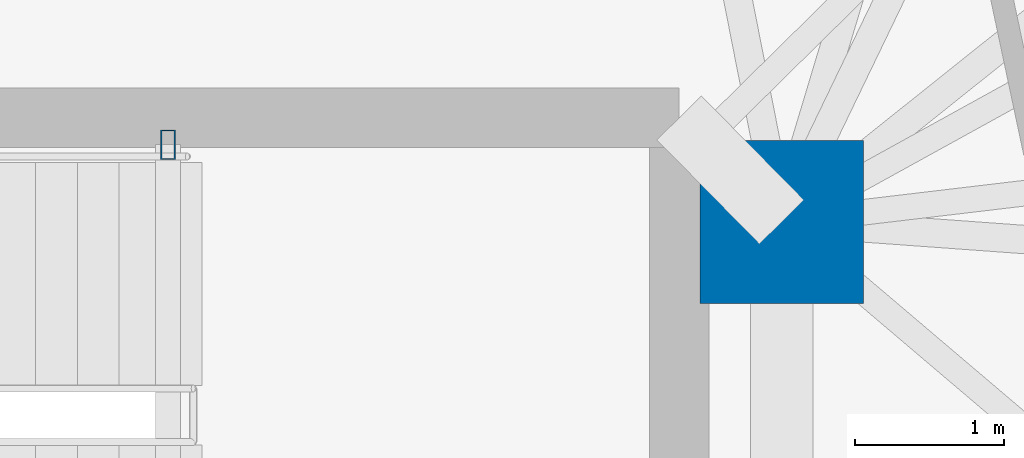
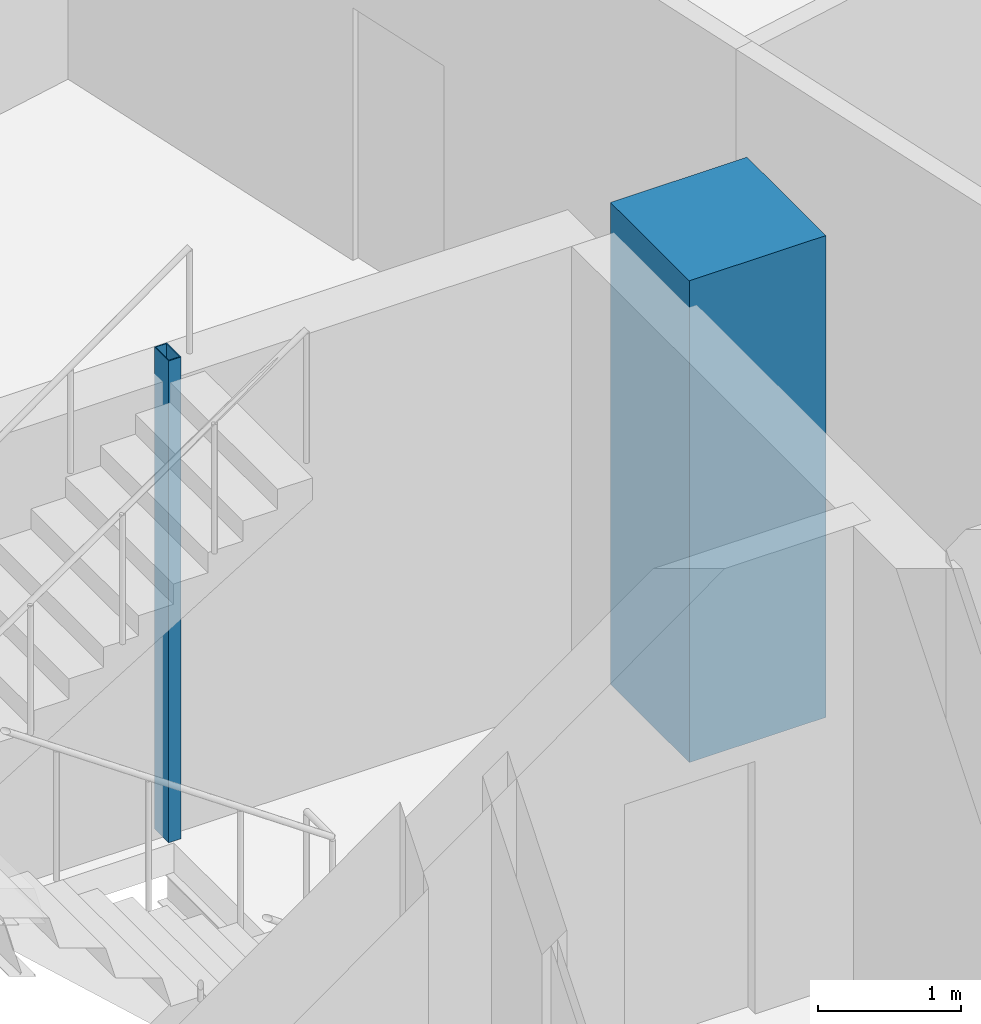
# One storey, part 4 of 15: 2 columns.
"""IFC4 building model written with IfcOpenShell, lengths in metres."""

from ifc_helpers import new_model, si_unit, direction, frame, origin, origin_2d, place, context, subcontext, project, spatial, rectangle, hollow_rectangle, extrude, material, material_profile, profile_set, type_object, element, save


model = new_model("IFC4")

# Units and contexts
model_context = context("Model", 3, precision=1e-05, world=origin(), true_north=direction((0.0, 1.0)))
body_context = subcontext(model_context, "Body", "Model", "MODEL_VIEW")
ifc_project = project(units=[si_unit("LENGTHUNIT", "METRE"), si_unit("AREAUNIT", "SQUARE_METRE"), si_unit("VOLUMEUNIT", "CUBIC_METRE"), si_unit("PLANEANGLEUNIT", "RADIAN"), si_unit("MASSUNIT", "GRAM", prefix="KILO")], contexts=[model_context])

# Site, building, storey
site_placement = place(None, origin())
site = spatial("IfcSite", under=ifc_project, at=site_placement, CompositionType="ELEMENT")
building_placement = place(site_placement, origin())
building = spatial("IfcBuilding", under=site, at=building_placement, Name="Menara Jurai Vektor", CompositionType="ELEMENT")
storey_placement = place(building_placement, frame((0.0, 0.0, 147.300048828125)))
storey = spatial("IfcBuildingStorey", under=building, at=storey_placement, Name="L37", CompositionType="ELEMENT", Elevation=147.300048828125)

# Columns
ifc_material_1 = material(Name="Concrete C50/60", Category="concrete")
ifc_material_profile_1 = material_profile(ifc_material_1, rectangle(XDim=1.10009765625, YDim=1.10009765625, at=origin_2d()), Name="RC 1100x1100")
ifc_profile_set_1 = profile_set([ifc_material_profile_1], Name="Concrete C50/60")
column_type_1 = type_object("IfcColumnType", Name="STR-COL-RC1100", PredefinedType="COLUMN", material=ifc_profile_set_1)
column_1_placement = place(storey_placement, frame((15.25, 4.89990234375, 0.0), z_axis=(0.0, 0.0, 1.0), x_axis=(1.0, 0.0, 0.0)))
element("IfcColumn", 1, at=column_1_placement, inside=storey, type_object=column_type_1, Name="Core Spine Column CE-NE L37", PredefinedType="COLUMN", context=body_context, shape_type="SweptSolid", body=[
    extrude(rectangle(XDim=1.10009765625, YDim=1.10009765625, at=origin_2d()), origin(), (0.0, 0.0, 1.0), 4.099853515625),
])
ifc_material_2 = material(Name="Steel S355", Category="steel")
ifc_material_profile_2 = material_profile(ifc_material_2, hollow_rectangle(XDim=0.10009765625, YDim=0.199951171875, WallThickness=0.008056640625, at=origin_2d()), Name="RHS 200x100x8")
ifc_profile_set_2 = profile_set([ifc_material_profile_2], Name="Steel S355")
column_type_2 = type_object("IfcColumnType", Name="STR-COL-STAIR", PredefinedType="COLUMN", material=ifc_profile_set_2)
column_2_placement = place(storey_placement, frame((11.1201171875, 5.419921875, 0.0), z_axis=(0.0, 0.0, 1.0), x_axis=(1.0, 0.0, 0.0)))
element("IfcColumn", 2, at=column_2_placement, inside=storey, type_object=column_type_2, Name="Stair Well Header Column ST2-P2 L37", PredefinedType="COLUMN", context=body_context, shape_type="SweptSolid", body=[
    extrude(hollow_rectangle(XDim=0.10009765625, YDim=0.199951171875, WallThickness=0.008056640625, at=origin_2d()), origin(), (0.0, 0.0, 1.0), 4.099853515625),
])

save(model, "model.ifc")
